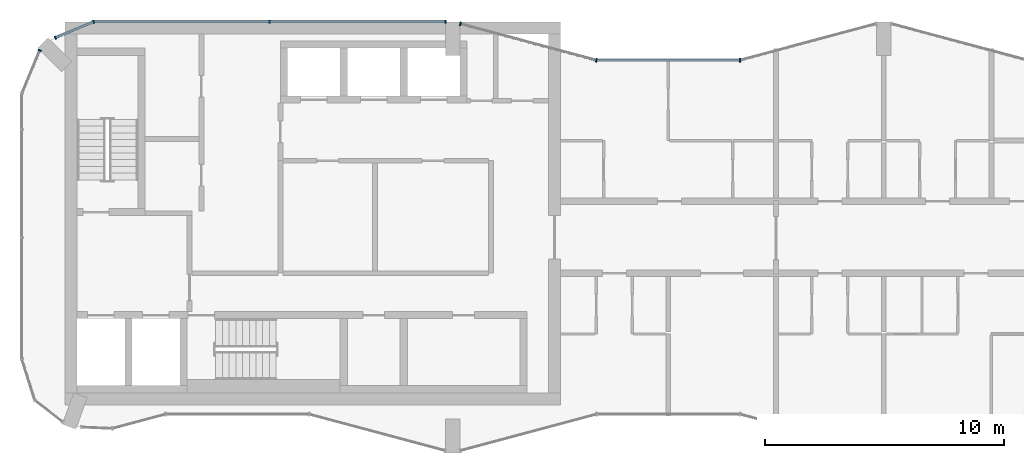
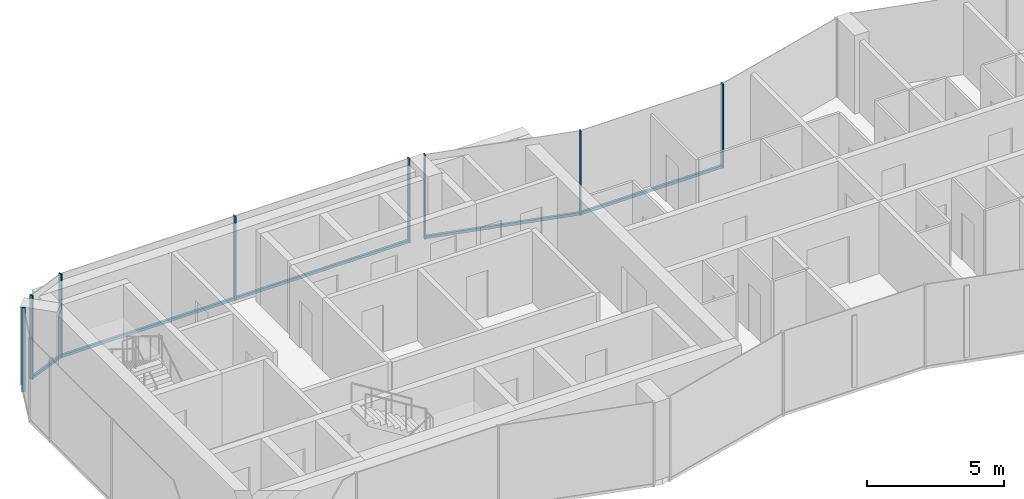
# One storey, part 4 of 9: 12 members, 5 elements without a shape of their own.
"""IFC4 building model written with IfcOpenShell, lengths in metres."""

from ifc_helpers import new_model, si_unit, direction, frame, origin, origin_2d, place, context, subcontext, project, spatial, rectangle, extrude, material, layer, layer_set, material_profile, profile_set, type_object, element, aggregate, save


model = new_model("IFC4")

# Units and contexts
model_context = context("Model", 3, precision=1e-05, world=origin(), true_north=direction((0.0, 1.0)))
body_context = subcontext(model_context, "Body", "Model", "MODEL_VIEW")
ifc_project = project(units=[si_unit("LENGTHUNIT", "METRE"), si_unit("AREAUNIT", "SQUARE_METRE"), si_unit("VOLUMEUNIT", "CUBIC_METRE"), si_unit("PLANEANGLEUNIT", "RADIAN"), si_unit("MASSUNIT", "GRAM", prefix="KILO")], contexts=[model_context])

# Site, building, storey
site_placement = place(None, origin())
site = spatial("IfcSite", under=ifc_project, at=site_placement, CompositionType="ELEMENT")
building_placement = place(site_placement, origin())
building = spatial("IfcBuilding", under=site, at=building_placement, Name="Plateau Cross Towers", CompositionType="ELEMENT")
storey_placement = place(building_placement, frame((0.0, 0.0, 232.89990234375)))
storey = spatial("IfcBuildingStorey", under=building, at=storey_placement, Name="L61", CompositionType="ELEMENT", Elevation=232.89990234375)

# Curtain wall, members
ifc_material_1 = material(Name="Dark low-iron glass", Category="glass")
ifc_layer_1 = layer(ifc_material_1, 0.239990234375)
ifc_layer_set_1 = layer_set([ifc_layer_1], Name="Dark low-iron glass")
curtain_wall_type_1 = type_object("IfcCurtainWallType", Name="Curtain wall flush unitised CW-B", PredefinedType="NOTDEFINED", material=ifc_layer_set_1)
curtain_wall_1_placement = place(storey_placement, origin())
curtain_wall_1 = element("IfcCurtainWall", 1, at=curtain_wall_1_placement, inside=storey, type_object=curtain_wall_type_1, Name="ENV/A/L61/A177_180", PredefinedType="NOTDEFINED")
ifc_material_2 = material(Name="Black anodised aluminium", Category="aluminium")
ifc_material_profile_1 = material_profile(ifc_material_2, rectangle(XDim=0.06005859375, YDim=0.139892578125, at=origin_2d()), Name="MULLION 60x140")
ifc_profile_set_1 = profile_set([ifc_material_profile_1], Name="Black anodised aluminium")
member_type_1 = type_object("IfcMemberType", Name="Mullion 60x140 flush unitised", PredefinedType="MULLION", material=ifc_profile_set_1)
member_1_placement = place(storey_placement, frame((17.699951171875, 18.0, -0.25), z_axis=(0.0, 0.0, 1.0), x_axis=(-1.0, 0.0, 0.0)))
member_1 = element("IfcMember", 2, at=member_1_placement, type_object=member_type_1, Name="CW-B mullion 1", PredefinedType="MULLION", context=body_context, shape_type="SweptSolid", body=[
    extrude(rectangle(XDim=0.06005859375, YDim=0.139892578125, at=origin_2d()), origin(), (0.0, 0.0, 1.0), 3.75),
])
member_2_placement = place(storey_placement, frame((10.35009765625, 18.0, -0.25), z_axis=(0.0, 0.0, 1.0), x_axis=(-1.0, 0.0, 0.0)))
member_2 = element("IfcMember", 3, at=member_2_placement, type_object=member_type_1, Name="CW-B mullion 2", PredefinedType="MULLION", context=body_context, shape_type="SweptSolid", body=[
    extrude(rectangle(XDim=0.06005859375, YDim=0.139892578125, at=origin_2d()), origin(), (0.0, 0.0, 1.0), 3.75),
])

curtain_wall_2_placement = place(storey_placement, origin())
curtain_wall_2 = element("IfcCurtainWall", 4, at=curtain_wall_2_placement, inside=storey, type_object=curtain_wall_type_1, Name="ENV/A/L61/A30_180", PredefinedType="NOTDEFINED")
member_3_placement = place(storey_placement, frame((3.0, 18.0, -0.25), z_axis=(0.0, 0.0, 1.0), x_axis=(-0.923879457699, -0.382683612978, 0.0)))
member_3 = element("IfcMember", 5, at=member_3_placement, type_object=member_type_1, Name="CW-B mullion 1", PredefinedType="MULLION", context=body_context, shape_type="SweptSolid", body=[
    extrude(rectangle(XDim=0.06005859375, YDim=0.139892578125, at=origin_2d()), origin(), (0.0, 0.0, 1.0), 3.75),
])
member_4_placement = place(storey_placement, frame((1.4033203125, 17.338623046875, -0.25), z_axis=(0.0, 0.0, 1.0), x_axis=(-0.923879457699, -0.382683612978, 0.0)))
member_4 = element("IfcMember", 6, at=member_4_placement, type_object=member_type_1, Name="CW-B mullion 2", PredefinedType="MULLION", context=body_context, shape_type="SweptSolid", body=[
    extrude(rectangle(XDim=0.06005859375, YDim=0.139892578125, at=origin_2d()), origin(), (0.0, 0.0, 1.0), 3.75),
])

# Curtain wall, member
curtain_wall_3_placement = place(storey_placement, origin())
curtain_wall_3 = element("IfcCurtainWall", 7, at=curtain_wall_3_placement, inside=storey, type_object=curtain_wall_type_1, Name="ENV/A/L61/A7_168", PredefinedType="NOTDEFINED")
member_5_placement = place(storey_placement, frame((0.748046875, 16.805908203125, -0.25), z_axis=(0.0, 0.0, 1.0), x_axis=(-0.382683612978, -0.923879457699, 0.0)))
member_5 = element("IfcMember", 8, at=member_5_placement, type_object=member_type_1, Name="CW-B mullion 1", PredefinedType="MULLION", context=body_context, shape_type="SweptSolid", body=[
    extrude(rectangle(XDim=0.06005859375, YDim=0.139892578125, at=origin_2d()), origin(), (0.0, 0.0, 1.0), 3.75),
])
aggregate(curtain_wall_3, [member_5])

ifc_layer_2 = layer(ifc_material_1, 0.260009765625)
ifc_layer_set_2 = layer_set([ifc_layer_2], Name="Dark low-iron glass")
curtain_wall_type_2 = type_object("IfcCurtainWallType", Name="Curtain wall fluted unitised CW-A", PredefinedType="NOTDEFINED", material=ifc_layer_set_2)
curtain_wall_4_placement = place(storey_placement, origin())
curtain_wall_4 = element("IfcCurtainWall", 9, at=curtain_wall_4_placement, inside=storey, type_object=curtain_wall_type_2, Name="ENV/A/L61/A300_164", PredefinedType="NOTDEFINED")
ifc_material_profile_2 = material_profile(ifc_material_2, rectangle(XDim=0.06005859375, YDim=0.159912109375, at=origin_2d()), Name="MULLION 60x160")
ifc_profile_set_2 = profile_set([ifc_material_profile_2], Name="Black anodised aluminium")
member_type_2 = type_object("IfcMemberType", Name="Mullion 60x160 fluted unitised", PredefinedType="MULLION", material=ifc_profile_set_2)
member_6_placement = place(storey_placement, frame((30.0, 16.39306640625, -0.25), z_axis=(0.0, 0.0, 1.0), x_axis=(-1.0, 0.0, 0.0)))
member_6 = element("IfcMember", 10, at=member_6_placement, type_object=member_type_2, Name="CW-A mullion 1", PredefinedType="MULLION", context=body_context, shape_type="SweptSolid", body=[
    extrude(rectangle(XDim=0.06005859375, YDim=0.159912109375, at=origin_2d()), origin(), (0.0, 0.0, 1.0), 3.75),
])

# Curtain wall, members
curtain_wall_5_placement = place(storey_placement, origin())
curtain_wall_5 = element("IfcCurtainWall", 11, at=curtain_wall_5_placement, inside=storey, type_object=curtain_wall_type_2, Name="ENV/A/L61/A240_164", PredefinedType="NOTDEFINED")
member_7_placement = place(storey_placement, frame((24.0, 16.39306640625, -0.25), z_axis=(0.0, 0.0, 1.0), x_axis=(-0.965957983404, 0.258699003279, 0.0)))
member_7 = element("IfcMember", 12, at=member_7_placement, type_object=member_type_2, Name="CW-A mullion 1", PredefinedType="MULLION", context=body_context, shape_type="SweptSolid", body=[
    extrude(rectangle(XDim=0.06005859375, YDim=0.159912109375, at=origin_2d()), origin(), (0.0, 0.0, 1.0), 3.75),
])
member_8_placement = place(storey_placement, frame((18.31787109375, 17.914794921875, -0.25), z_axis=(0.0, 0.0, 1.0), x_axis=(-0.965957983404, 0.258699003279, 0.0)))
member_8 = element("IfcMember", 13, at=member_8_placement, type_object=member_type_2, Name="CW-A mullion 2", PredefinedType="MULLION", context=body_context, shape_type="SweptSolid", body=[
    extrude(rectangle(XDim=0.06005859375, YDim=0.159912109375, at=origin_2d()), origin(), (0.0, 0.0, 1.0), 3.75),
])

# Member
ifc_material_profile_3 = material_profile(ifc_material_2, rectangle(XDim=0.10009765625, YDim=0.1201171875, at=origin_2d()), Name="TRANSOM 100x120")
ifc_profile_set_3 = profile_set([ifc_material_profile_3], Name="Black anodised aluminium")
member_type_3 = type_object("IfcMemberType", Name="Transom 100x120 flush unitised", PredefinedType="USERDEFINED", material=ifc_profile_set_3)
member_9_placement = place(storey_placement, frame((17.699951171875, 18.0, -0.18994140625), z_axis=(-1.0, 0.0, 0.0), x_axis=(0.0, -1.0, 0.0)))
member_9 = element("IfcMember", 14, at=member_9_placement, type_object=member_type_3, Name="CW-B transom", ObjectType="TRANSOM", PredefinedType="USERDEFINED", context=body_context, shape_type="SweptSolid", body=[
    extrude(rectangle(XDim=0.10009765625, YDim=0.1201171875, at=origin_2d()), origin(), (0.0, 0.0, 1.0), 14.699951171875),
])

aggregate(curtain_wall_1, [member_1, member_2, member_9])

member_10_placement = place(storey_placement, frame((3.0, 18.0, -0.18994140625), z_axis=(-0.923877369776, -0.382688653628, 0.0), x_axis=(0.382688653628, -0.923877369776, 0.0)))
member_10 = element("IfcMember", 15, at=member_10_placement, type_object=member_type_3, Name="CW-B transom", ObjectType="TRANSOM", PredefinedType="USERDEFINED", context=body_context, shape_type="SweptSolid", body=[
    extrude(rectangle(XDim=0.10009765625, YDim=0.1201171875, at=origin_2d()), origin(), (0.0, 0.0, 1.0), 1.728271484375),
])

aggregate(curtain_wall_2, [member_3, member_4, member_10])

ifc_material_profile_4 = material_profile(ifc_material_2, rectangle(XDim=0.10009765625, YDim=0.1201171875, at=origin_2d()), Name="TRANSOM 100x120")
ifc_profile_set_4 = profile_set([ifc_material_profile_4], Name="Black anodised aluminium")
member_type_4 = type_object("IfcMemberType", Name="Transom 100x120 fluted unitised", PredefinedType="USERDEFINED", material=ifc_profile_set_4)
member_11_placement = place(storey_placement, frame((30.0, 16.39306640625, -0.18994140625), z_axis=(-1.0, 0.0, 0.0), x_axis=(0.0, -1.0, 0.0)))
member_11 = element("IfcMember", 16, at=member_11_placement, type_object=member_type_4, Name="CW-A transom", ObjectType="TRANSOM", PredefinedType="USERDEFINED", context=body_context, shape_type="SweptSolid", body=[
    extrude(rectangle(XDim=0.10009765625, YDim=0.1201171875, at=origin_2d()), origin(), (0.0, 0.0, 1.0), 6.0),
])

aggregate(curtain_wall_4, [member_6, member_11])

member_12_placement = place(storey_placement, frame((24.0, 16.39306640625, -0.18994140625), z_axis=(-0.965959534794, 0.258693210465, 0.0), x_axis=(-0.258693210465, -0.965959534794, 0.0)))
member_12 = element("IfcMember", 17, at=member_12_placement, type_object=member_type_4, Name="CW-A transom", ObjectType="TRANSOM", PredefinedType="USERDEFINED", context=body_context, shape_type="SweptSolid", body=[
    extrude(rectangle(XDim=0.10009765625, YDim=0.1201171875, at=origin_2d()), origin(), (0.0, 0.0, 1.0), 5.88232421875),
])

aggregate(curtain_wall_5, [member_7, member_8, member_12])

save(model, "model.ifc")
